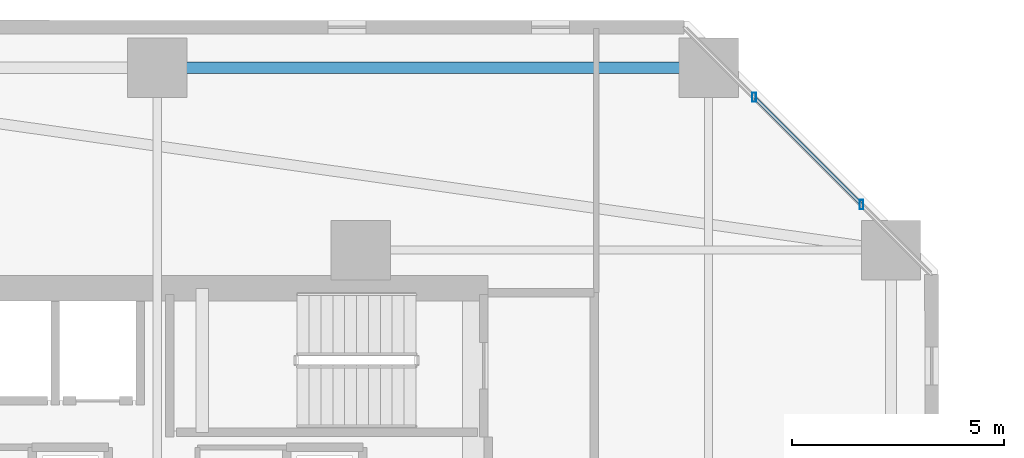
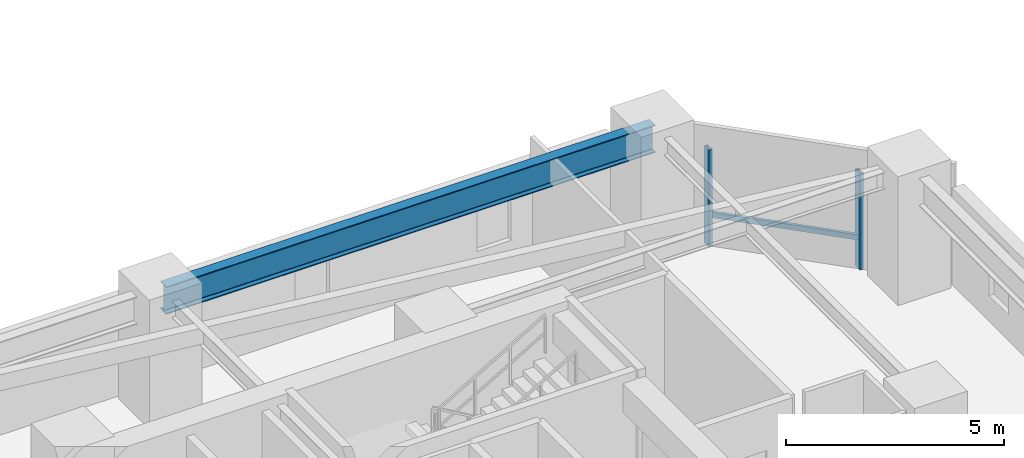
# One storey, part 9 of 33: 3 members, 1 beam, 1 element without a shape of its own.
"""IFC4 building model written with IfcOpenShell, lengths in metres."""

from ifc_helpers import new_model, si_unit, direction, frame, origin, origin_2d, place, context, subcontext, project, spatial, hollow_rectangle, i_section, extrude, material, material_profile, profile_set, type_object, element, aggregate, save


model = new_model("IFC4")

# Units and contexts
model_context = context("Model", 3, precision=1e-05, world=origin(), true_north=direction((0.0, 1.0)))
body_context = subcontext(model_context, "Body", "Model", "MODEL_VIEW")
ifc_project = project(units=[si_unit("LENGTHUNIT", "METRE"), si_unit("AREAUNIT", "SQUARE_METRE"), si_unit("VOLUMEUNIT", "CUBIC_METRE"), si_unit("PLANEANGLEUNIT", "RADIAN"), si_unit("MASSUNIT", "GRAM", prefix="KILO")], contexts=[model_context])

# Site, building, storey
site_placement = place(None, origin())
site = spatial("IfcSite", under=ifc_project, at=site_placement, CompositionType="ELEMENT")
building_placement = place(site_placement, origin())
building = spatial("IfcBuilding", under=site, at=building_placement, Name="Thornwick Lancets Civic Towers", CompositionType="ELEMENT")
storey_placement = place(building_placement, frame((0.0, 0.0, 31.5)))
storey = spatial("IfcBuildingStorey", under=building, at=storey_placement, Name="L07", CompositionType="ELEMENT", Elevation=31.5)

# Beam
ifc_material_1 = material(Name="Steel S355JR", Category="steel")
ifc_material_profile_1 = material_profile(ifc_material_1, i_section(OverallWidth=0.26806640625, OverallDepth=0.769775390625, WebThickness=0.015625, FlangeThickness=0.025390625, FilletRadius=0.0166015625, at=origin_2d()), Name="UKB 762x267x197")
ifc_profile_set_1 = profile_set([ifc_material_profile_1], Name="Steel S355JR")
beam_type = type_object("IfcBeamType", Name="BM_GIRD_762_197", PredefinedType="BEAM", material=ifc_profile_set_1)
beam_placement = place(storey_placement, frame((25.580078125, 44.300048828125, 2.97509765625), z_axis=(1.0, 0.0, 0.0), x_axis=(0.0, 1.0, 0.0)))
element("IfcBeam", 1, at=beam_placement, inside=storey, type_object=beam_type, Name="BM-SPINE-L07-A-7-8", PredefinedType="BEAM", context=body_context, shape_type="SweptSolid", body=[
    extrude(i_section(OverallWidth=0.26806640625, OverallDepth=0.769775390625, WebThickness=0.015625, FlangeThickness=0.025390625, FilletRadius=0.0166015625, at=origin_2d()), origin(), (0.0, 0.0, 1.0), 12.919921875),
])

# Curtain wall, members
ifc_material_2 = material(Name="Low-zone chamfered-corner unitised glass curtain wall", Category="glass")
curtain_wall_type = type_object("IfcCurtainWallType", Name="CW_SYS_03", PredefinedType="NOTDEFINED", material=ifc_material_2)
curtain_wall_placement = place(storey_placement, origin())
curtain_wall = element("IfcCurtainWall", 2, at=curtain_wall_placement, inside=storey, type_object=curtain_wall_type, Name="L07 Curtain Wall CW-L07-A-E3", PredefinedType="NOTDEFINED")
ifc_material_3 = material(Name="Thermally broken bronze aluminium S355", Category="steel")
ifc_material_profile_2 = material_profile(ifc_material_3, hollow_rectangle(XDim=0.090087890625, YDim=0.219970703125, WallThickness=0.00634765625, at=origin_2d()), Name="RHS 220x90x6.3")
ifc_profile_set_2 = profile_set([ifc_material_profile_2], Name="Thermally broken bronze aluminium S355")
member_type_1 = type_object("IfcMemberType", Name="CW_MUL_220", PredefinedType="MULLION", material=ifc_profile_set_2)
member_1_placement = place(storey_placement, frame((42.10400390625, 41.07177734375, 0.0), z_axis=(0.0, 0.0, 1.0), x_axis=(1.0, 0.0, 0.0)))
member_1 = element("IfcMember", 3, at=member_1_placement, type_object=member_type_1, Name="CW-L07-A-E3 Mullion 0", PredefinedType="MULLION", context=body_context, shape_type="SweptSolid", body=[
    extrude(hollow_rectangle(XDim=0.090087890625, YDim=0.219970703125, WallThickness=0.00634765625, at=origin_2d()), origin(), (0.0, 0.0, 1.0), 2.699951171875),
])
member_2_placement = place(storey_placement, frame((39.57177734375, 43.60400390625, 0.0), z_axis=(0.0, 0.0, 1.0), x_axis=(1.0, 0.0, 0.0)))
member_2 = element("IfcMember", 4, at=member_2_placement, type_object=member_type_1, Name="CW-L07-A-E3 Mullion 1", PredefinedType="MULLION", context=body_context, shape_type="SweptSolid", body=[
    extrude(hollow_rectangle(XDim=0.090087890625, YDim=0.219970703125, WallThickness=0.00634765625, at=origin_2d()), origin(), (0.0, 0.0, 1.0), 2.699951171875),
])
ifc_material_profile_3 = material_profile(ifc_material_3, hollow_rectangle(XDim=0.074951171875, YDim=0.14990234375, WallThickness=0.0048828125, at=origin_2d()), Name="RHS 150x75x5")
ifc_profile_set_3 = profile_set([ifc_material_profile_3], Name="Thermally broken bronze aluminium S355")
member_type_2 = type_object("IfcMemberType", Name="CW_TRN_150", PredefinedType="USERDEFINED", material=ifc_profile_set_3)
member_3_placement = place(storey_placement, frame((42.08984375, 41.085693359375, 0.85009765625), z_axis=(-0.707106781187, 0.707106781187, 0.0), x_axis=(-0.707106781187, -0.707106781187, 0.0)))
member_3 = element("IfcMember", 5, at=member_3_placement, type_object=member_type_2, Name="CW-L07-A-E3 Transom 0", ObjectType="TRANSOM", PredefinedType="USERDEFINED", context=body_context, shape_type="SweptSolid", body=[
    extrude(hollow_rectangle(XDim=0.074951171875, YDim=0.14990234375, WallThickness=0.0048828125, at=origin_2d()), origin(), (0.0, 0.0, 1.0), 3.54150390625),
])
aggregate(curtain_wall, [member_1, member_2, member_3])

save(model, "model.ifc")
